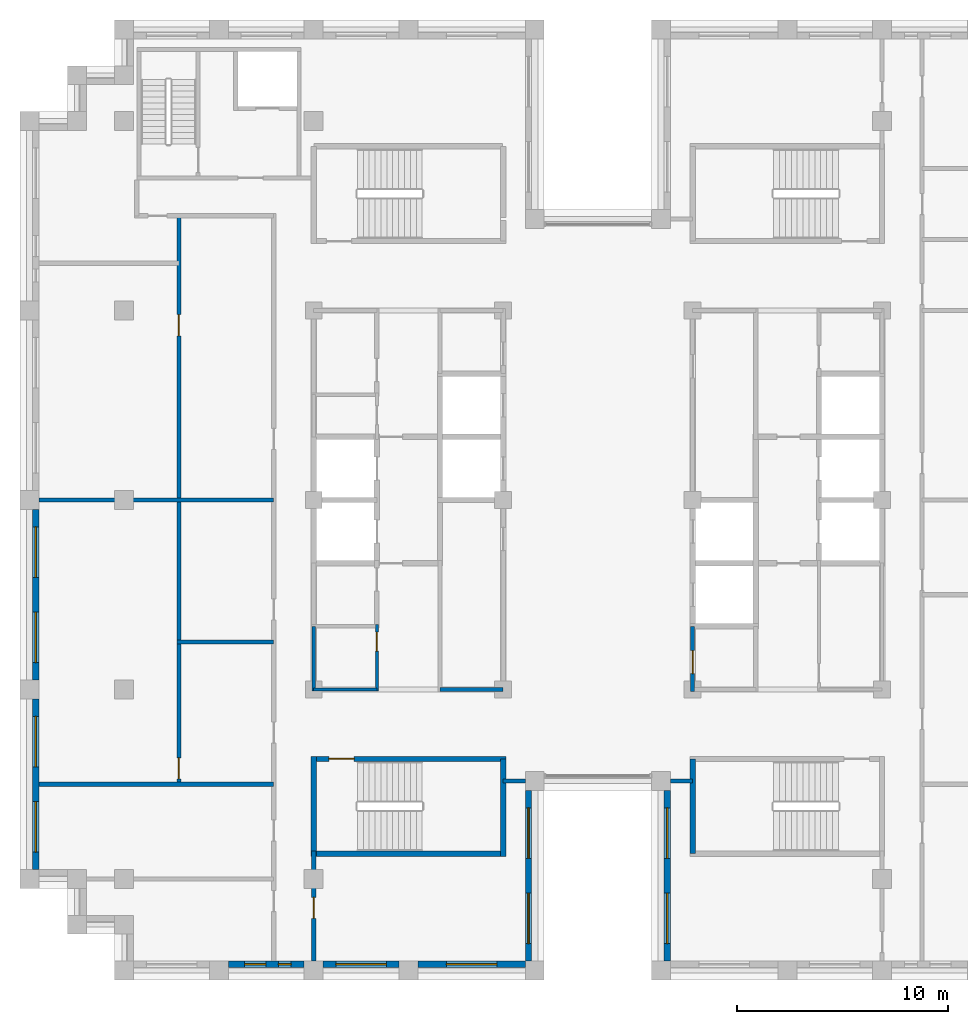
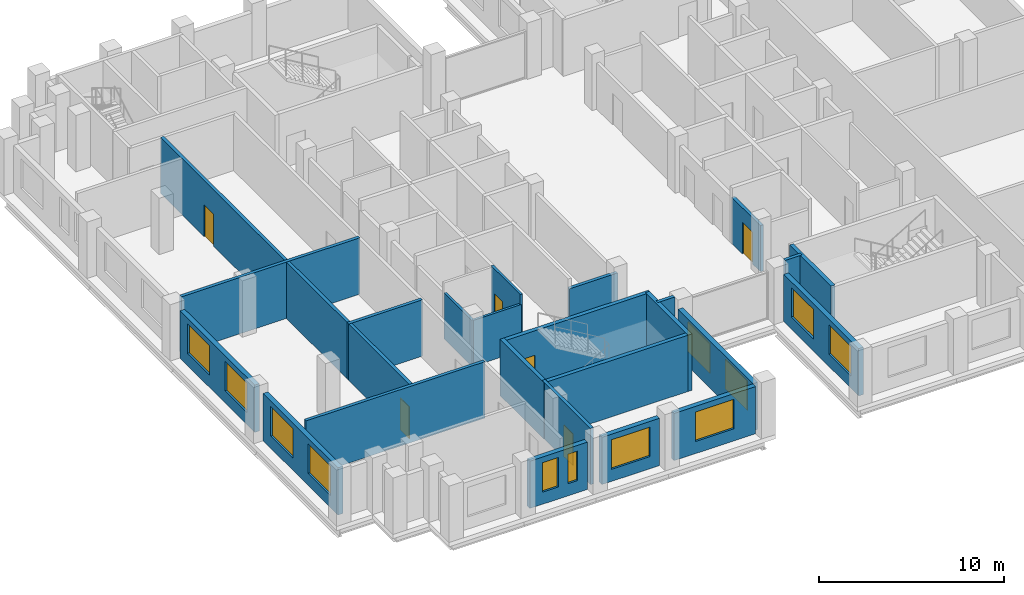
# One storey, part 6 of 13: 24 walls, 12 windows, 6 doors, 18 openings.
"""IFC4 building model written with IfcOpenShell, lengths in metres."""

from ifc_helpers import new_model, si_unit, direction, frame, frame_2d, origin, place, context, subcontext, project, spatial, rectangle, extrude, material, layer, layer_set, type_object, element, fill, save


model = new_model("IFC4")

# Units and contexts
model_context = context("Model", 3, precision=1e-05, world=origin(), true_north=direction((0.0, 1.0)))
body_context = subcontext(model_context, "Body", "Model", "MODEL_VIEW")
ifc_project = project(units=[si_unit("LENGTHUNIT", "METRE"), si_unit("AREAUNIT", "SQUARE_METRE"), si_unit("VOLUMEUNIT", "CUBIC_METRE"), si_unit("PLANEANGLEUNIT", "RADIAN"), si_unit("MASSUNIT", "GRAM", prefix="KILO")], contexts=[model_context])

# Site, building, storey
site_placement = place(None, origin())
site = spatial("IfcSite", under=ifc_project, at=site_placement, CompositionType="ELEMENT")
building_placement = place(site_placement, origin())
building = spatial("IfcBuilding", under=site, at=building_placement, Name="Corbelhall Arena Tower", CompositionType="ELEMENT")
storey_placement = place(building_placement, frame((0.0, 0.0, 262.0)))
storey = spatial("IfcBuildingStorey", under=building, at=storey_placement, Name="L56", CompositionType="ELEMENT", Elevation=262.0)

# Wall, openings, windows
ifc_material_1 = material(Name="Precast concrete C40/50 with granite facing", Category="masonry")
ifc_layer_1 = layer(ifc_material_1, 0.300048828125)
ifc_layer_set_1 = layer_set([ifc_layer_1], Name="EV-IW1 Infill panel 300")
wall_type_1 = type_object("IfcWallType", Name="EV-IW1 Infill panel 300", PredefinedType="SOLIDWALL", material=ifc_layer_set_1)
wall_1_placement = place(storey_placement, frame((-26.699951171875, -0.449951171875, 0.0), z_axis=(0.0, 0.0, 1.0), x_axis=(0.0, -1.0, 0.0)))
wall_1 = element("IfcWall", 1, at=wall_1_placement, inside=storey, type_object=wall_type_1, Name="Infill panel IW1", PredefinedType="SOLIDWALL", context=body_context, shape_type="SweptSolid", body=[
    extrude(rectangle(XDim=8.10009765625, YDim=0.300048828125, at=frame_2d((4.050048828125, 0.0))), origin(), (0.0, 0.0, 1.0), 3.1201171875),
])
opening_1_placement = place(wall_1_placement, frame((0.824951171875, 0.0, 0.800048828125)))
opening_1 = element("IfcOpeningElement", 2, at=opening_1_placement, cuts=wall_1, Name="Opening WN1", PredefinedType="OPENING", context=body_context, shape_type="SweptSolid", body=[
    extrude(rectangle(XDim=2.39990234375, YDim=1.949951171875, at=frame_2d((1.199951171875, 0.97509765625))), frame((0.0, 0.14990234375, 0.0), z_axis=(0.0, -1.0, 0.0), x_axis=(1.0, 0.0, 0.0)), (0.0, 0.0, 1.0), 0.300048828125),
])
opening_2_placement = place(wall_1_placement, frame((4.875, 0.0, 0.800048828125)))
opening_2 = element("IfcOpeningElement", 3, at=opening_2_placement, cuts=wall_1, Name="Opening WN1", PredefinedType="OPENING", context=body_context, shape_type="SweptSolid", body=[
    extrude(rectangle(XDim=2.39990234375, YDim=1.949951171875, at=frame_2d((1.199951171875, 0.97509765625))), frame((0.0, 0.14990234375, 0.0), z_axis=(0.0, -1.0, 0.0), x_axis=(1.0, 0.0, 0.0)), (0.0, 0.0, 1.0), 0.300048828125),
])
ifc_material_2 = material(Name="Aluminium black anodised", Category="aluminium")
window_type_1 = type_object("IfcWindowType", Name="EV-WN1 Office window", PartitioningType="SINGLE_PANEL", PredefinedType="WINDOW", material=ifc_material_2)
window_1_placement = place(opening_1_placement, origin())
window_1 = element("IfcWindow", 4, at=window_1_placement, inside=storey, type_object=window_type_1, Name="Window WN1", OverallHeight=1.949951171875, OverallWidth=2.39990234375, PartitioningType="SINGLE_PANEL", PredefinedType="WINDOW", context=body_context, shape_type="SweptSolid", body=[
    extrude(rectangle(XDim=2.39990234375, YDim=1.949951171875, at=frame_2d((1.199951171875, 0.97509765625))), frame((0.0, 0.030029296875, 0.0), z_axis=(0.0, -1.0, 0.0), x_axis=(1.0, 0.0, 0.0)), (0.0, 0.0, 1.0), 0.06005859375),
])
fill(opening_1, window_1)
window_2_placement = place(opening_2_placement, origin())
window_2 = element("IfcWindow", 5, at=window_2_placement, inside=storey, type_object=window_type_1, Name="Window WN1", OverallHeight=1.949951171875, OverallWidth=2.39990234375, PartitioningType="SINGLE_PANEL", PredefinedType="WINDOW", context=body_context, shape_type="SweptSolid", body=[
    extrude(rectangle(XDim=2.39990234375, YDim=1.949951171875, at=frame_2d((1.199951171875, 0.97509765625))), frame((0.0, 0.030029296875, 0.0), z_axis=(0.0, -1.0, 0.0), x_axis=(1.0, 0.0, 0.0)), (0.0, 0.0, 1.0), 0.06005859375),
])
fill(opening_2, window_2)

wall_2_placement = place(storey_placement, frame((-26.699951171875, -9.449951171875, 0.0), z_axis=(0.0, 0.0, 1.0), x_axis=(0.0, -1.0, 0.0)))
wall_2 = element("IfcWall", 6, at=wall_2_placement, inside=storey, type_object=wall_type_1, Name="Infill panel IW1", PredefinedType="SOLIDWALL", context=body_context, shape_type="SweptSolid", body=[
    extrude(rectangle(XDim=8.10009765625, YDim=0.300048828125, at=frame_2d((4.050048828125, 0.0))), origin(), (0.0, 0.0, 1.0), 3.1201171875),
])
opening_3_placement = place(wall_2_placement, frame((0.824951171875, 0.0, 0.800048828125)))
opening_3 = element("IfcOpeningElement", 7, at=opening_3_placement, cuts=wall_2, Name="Opening WN1", PredefinedType="OPENING", context=body_context, shape_type="SweptSolid", body=[
    extrude(rectangle(XDim=2.39990234375, YDim=1.949951171875, at=frame_2d((1.199951171875, 0.97509765625))), frame((0.0, 0.14990234375, 0.0), z_axis=(0.0, -1.0, 0.0), x_axis=(1.0, 0.0, 0.0)), (0.0, 0.0, 1.0), 0.300048828125),
])
opening_4_placement = place(wall_2_placement, frame((4.875, 0.0, 0.800048828125)))
opening_4 = element("IfcOpeningElement", 8, at=opening_4_placement, cuts=wall_2, Name="Opening WN1", PredefinedType="OPENING", context=body_context, shape_type="SweptSolid", body=[
    extrude(rectangle(XDim=2.39990234375, YDim=1.949951171875, at=frame_2d((1.199951171875, 0.97509765625))), frame((0.0, 0.14990234375, 0.0), z_axis=(0.0, -1.0, 0.0), x_axis=(1.0, 0.0, 0.0)), (0.0, 0.0, 1.0), 0.300048828125),
])
window_3_placement = place(opening_3_placement, origin())
window_3 = element("IfcWindow", 9, at=window_3_placement, inside=storey, type_object=window_type_1, Name="Window WN1", OverallHeight=1.949951171875, OverallWidth=2.39990234375, PartitioningType="SINGLE_PANEL", PredefinedType="WINDOW", context=body_context, shape_type="SweptSolid", body=[
    extrude(rectangle(XDim=2.39990234375, YDim=1.949951171875, at=frame_2d((1.199951171875, 0.97509765625))), frame((0.0, 0.030029296875, 0.0), z_axis=(0.0, -1.0, 0.0), x_axis=(1.0, 0.0, 0.0)), (0.0, 0.0, 1.0), 0.06005859375),
])
fill(opening_3, window_3)
window_4_placement = place(opening_4_placement, origin())
window_4 = element("IfcWindow", 10, at=window_4_placement, inside=storey, type_object=window_type_1, Name="Window WN1", OverallHeight=1.949951171875, OverallWidth=2.39990234375, PartitioningType="SINGLE_PANEL", PredefinedType="WINDOW", context=body_context, shape_type="SweptSolid", body=[
    extrude(rectangle(XDim=2.39990234375, YDim=1.949951171875, at=frame_2d((1.199951171875, 0.97509765625))), frame((0.0, 0.030029296875, 0.0), z_axis=(0.0, -1.0, 0.0), x_axis=(1.0, 0.0, 0.0)), (0.0, 0.0, 1.0), 0.06005859375),
])
fill(opening_4, window_4)

wall_3_placement = place(storey_placement, frame((-17.550048828125, -22.050048828125, 0.0), z_axis=(0.0, 0.0, 1.0), x_axis=(1.0, 0.0, 0.0)))
wall_3 = element("IfcWall", 11, at=wall_3_placement, inside=storey, type_object=wall_type_1, Name="Infill panel IW1", PredefinedType="SOLIDWALL", context=body_context, shape_type="SweptSolid", body=[
    extrude(rectangle(XDim=3.60009765625, YDim=0.300048828125, at=frame_2d((1.800048828125, 0.0))), origin(), (0.0, 0.0, 1.0), 3.1201171875),
])
opening_5_placement = place(wall_3_placement, frame((0.77490234375, 0.0, 0.800048828125)))
opening_5 = element("IfcOpeningElement", 12, at=opening_5_placement, cuts=wall_3, Name="Opening WN6", PredefinedType="OPENING", context=body_context, shape_type="SweptSolid", body=[
    extrude(rectangle(XDim=1.0, YDim=1.949951171875, at=frame_2d((0.5, 0.97509765625))), frame((0.0, 0.14990234375, 0.0), z_axis=(0.0, -1.0, 0.0), x_axis=(1.0, 0.0, 0.0)), (0.0, 0.0, 1.0), 0.300048828125),
])
opening_6_placement = place(wall_3_placement, frame((2.375, 0.0, 0.800048828125)))
opening_6 = element("IfcOpeningElement", 13, at=opening_6_placement, cuts=wall_3, Name="Opening WN5", PredefinedType="OPENING", context=body_context, shape_type="SweptSolid", body=[
    extrude(rectangle(XDim=0.60009765625, YDim=1.949951171875, at=frame_2d((0.300048828125, 0.97509765625))), frame((0.0, 0.14990234375, 0.0), z_axis=(0.0, -1.0, 0.0), x_axis=(1.0, 0.0, 0.0)), (0.0, 0.0, 1.0), 0.300048828125),
])
window_type_2 = type_object("IfcWindowType", Name="EV-WN5 Office window 600", PartitioningType="SINGLE_PANEL", PredefinedType="WINDOW", material=ifc_material_2)
window_5_placement = place(opening_6_placement, origin())
window_5 = element("IfcWindow", 14, at=window_5_placement, inside=storey, type_object=window_type_2, Name="Window WN5", OverallHeight=1.949951171875, OverallWidth=0.60009765625, PartitioningType="SINGLE_PANEL", PredefinedType="WINDOW", context=body_context, shape_type="SweptSolid", body=[
    extrude(rectangle(XDim=0.60009765625, YDim=1.949951171875, at=frame_2d((0.300048828125, 0.97509765625))), frame((0.0, 0.030029296875, 0.0), z_axis=(0.0, -1.0, 0.0), x_axis=(1.0, 0.0, 0.0)), (0.0, 0.0, 1.0), 0.06005859375),
])
fill(opening_6, window_5)
window_type_3 = type_object("IfcWindowType", Name="EV-WN6 Office window 1000", PartitioningType="SINGLE_PANEL", PredefinedType="WINDOW", material=ifc_material_2)
window_6_placement = place(opening_5_placement, origin())
window_6 = element("IfcWindow", 15, at=window_6_placement, inside=storey, type_object=window_type_3, Name="Window WN6", OverallHeight=1.949951171875, OverallWidth=1.0, PartitioningType="SINGLE_PANEL", PredefinedType="WINDOW", context=body_context, shape_type="SweptSolid", body=[
    extrude(rectangle(XDim=1.0, YDim=1.949951171875, at=frame_2d((0.5, 0.97509765625))), frame((0.0, 0.030029296875, 0.0), z_axis=(0.0, -1.0, 0.0), x_axis=(1.0, 0.0, 0.0)), (0.0, 0.0, 1.0), 0.06005859375),
])
fill(opening_5, window_6)

# Wall, opening, window
wall_4_placement = place(storey_placement, frame((-13.050048828125, -22.050048828125, 0.0), z_axis=(0.0, 0.0, 1.0), x_axis=(1.0, 0.0, 0.0)))
wall_4 = element("IfcWall", 16, at=wall_4_placement, inside=storey, type_object=wall_type_1, Name="Infill panel IW1", PredefinedType="SOLIDWALL", context=body_context, shape_type="SweptSolid", body=[
    extrude(rectangle(XDim=3.60009765625, YDim=0.300048828125, at=frame_2d((1.800048828125, 0.0))), origin(), (0.0, 0.0, 1.0), 3.1201171875),
])
opening_7_placement = place(wall_4_placement, frame((0.60009765625, 0.0, 0.800048828125)))
opening_7 = element("IfcOpeningElement", 17, at=opening_7_placement, cuts=wall_4, Name="Opening WN1", PredefinedType="OPENING", context=body_context, shape_type="SweptSolid", body=[
    extrude(rectangle(XDim=2.39990234375, YDim=1.949951171875, at=frame_2d((1.199951171875, 0.97509765625))), frame((0.0, 0.14990234375, 0.0), z_axis=(0.0, -1.0, 0.0), x_axis=(1.0, 0.0, 0.0)), (0.0, 0.0, 1.0), 0.300048828125),
])
window_7_placement = place(opening_7_placement, origin())
window_7 = element("IfcWindow", 18, at=window_7_placement, inside=storey, type_object=window_type_1, Name="Window WN1", OverallHeight=1.949951171875, OverallWidth=2.39990234375, PartitioningType="SINGLE_PANEL", PredefinedType="WINDOW", context=body_context, shape_type="SweptSolid", body=[
    extrude(rectangle(XDim=2.39990234375, YDim=1.949951171875, at=frame_2d((1.199951171875, 0.97509765625))), frame((0.0, 0.030029296875, 0.0), z_axis=(0.0, -1.0, 0.0), x_axis=(1.0, 0.0, 0.0)), (0.0, 0.0, 1.0), 0.06005859375),
])
fill(opening_7, window_7)

wall_5_placement = place(storey_placement, frame((-8.550048828125, -22.050048828125, 0.0), z_axis=(0.0, 0.0, 1.0), x_axis=(1.0, 0.0, 0.0)))
wall_5 = element("IfcWall", 19, at=wall_5_placement, inside=storey, type_object=wall_type_1, Name="Infill panel IW1", PredefinedType="SOLIDWALL", context=body_context, shape_type="SweptSolid", body=[
    extrude(rectangle(XDim=5.10009765625, YDim=0.300048828125, at=frame_2d((2.550048828125, 0.0))), origin(), (0.0, 0.0, 1.0), 3.1201171875),
])
opening_8_placement = place(wall_5_placement, frame((1.35009765625, 0.0, 0.800048828125)))
opening_8 = element("IfcOpeningElement", 20, at=opening_8_placement, cuts=wall_5, Name="Opening WN1", PredefinedType="OPENING", context=body_context, shape_type="SweptSolid", body=[
    extrude(rectangle(XDim=2.39990234375, YDim=1.949951171875, at=frame_2d((1.199951171875, 0.97509765625))), frame((0.0, 0.14990234375, 0.0), z_axis=(0.0, -1.0, 0.0), x_axis=(1.0, 0.0, 0.0)), (0.0, 0.0, 1.0), 0.300048828125),
])
window_8_placement = place(opening_8_placement, origin())
window_8 = element("IfcWindow", 21, at=window_8_placement, inside=storey, type_object=window_type_1, Name="Window WN1", OverallHeight=1.949951171875, OverallWidth=2.39990234375, PartitioningType="SINGLE_PANEL", PredefinedType="WINDOW", context=body_context, shape_type="SweptSolid", body=[
    extrude(rectangle(XDim=2.39990234375, YDim=1.949951171875, at=frame_2d((1.199951171875, 0.97509765625))), frame((0.0, 0.030029296875, 0.0), z_axis=(0.0, -1.0, 0.0), x_axis=(1.0, 0.0, 0.0)), (0.0, 0.0, 1.0), 0.06005859375),
])
fill(opening_8, window_8)

# Wall, openings, windows
wall_6_placement = place(storey_placement, frame((-3.300048828125, -21.89990234375, 0.0), z_axis=(0.0, 0.0, 1.0), x_axis=(0.0, 1.0, 0.0)))
wall_6 = element("IfcWall", 22, at=wall_6_placement, inside=storey, type_object=wall_type_1, Name="Infill panel IW1", PredefinedType="SOLIDWALL", context=body_context, shape_type="SweptSolid", body=[
    extrude(rectangle(XDim=8.099853515625, YDim=0.300048828125, at=frame_2d((4.0498046875, 0.0))), origin(), (0.0, 0.0, 1.0), 3.1201171875),
])
opening_9_placement = place(wall_6_placement, frame((0.824951171875, 0.0, 0.800048828125)))
opening_9 = element("IfcOpeningElement", 23, at=opening_9_placement, cuts=wall_6, Name="Opening WN1", PredefinedType="OPENING", context=body_context, shape_type="SweptSolid", body=[
    extrude(rectangle(XDim=2.39990234375, YDim=1.949951171875, at=frame_2d((1.199951171875, 0.97509765625))), frame((0.0, 0.14990234375, 0.0), z_axis=(0.0, -1.0, 0.0), x_axis=(1.0, 0.0, 0.0)), (0.0, 0.0, 1.0), 0.300048828125),
])
opening_10_placement = place(wall_6_placement, frame((4.875, 0.0, 0.800048828125)))
opening_10 = element("IfcOpeningElement", 24, at=opening_10_placement, cuts=wall_6, Name="Opening WN1", PredefinedType="OPENING", context=body_context, shape_type="SweptSolid", body=[
    extrude(rectangle(XDim=2.39990234375, YDim=1.949951171875, at=frame_2d((1.199951171875, 0.97509765625))), frame((0.0, 0.14990234375, 0.0), z_axis=(0.0, -1.0, 0.0), x_axis=(1.0, 0.0, 0.0)), (0.0, 0.0, 1.0), 0.300048828125),
])
window_9_placement = place(opening_9_placement, origin())
window_9 = element("IfcWindow", 25, at=window_9_placement, inside=storey, type_object=window_type_1, Name="Window WN1", OverallHeight=1.949951171875, OverallWidth=2.39990234375, PartitioningType="SINGLE_PANEL", PredefinedType="WINDOW", context=body_context, shape_type="SweptSolid", body=[
    extrude(rectangle(XDim=2.39990234375, YDim=1.949951171875, at=frame_2d((1.199951171875, 0.97509765625))), frame((0.0, 0.030029296875, 0.0), z_axis=(0.0, -1.0, 0.0), x_axis=(1.0, 0.0, 0.0)), (0.0, 0.0, 1.0), 0.06005859375),
])
fill(opening_9, window_9)
window_10_placement = place(opening_10_placement, origin())
window_10 = element("IfcWindow", 26, at=window_10_placement, inside=storey, type_object=window_type_1, Name="Window WN1", OverallHeight=1.949951171875, OverallWidth=2.39990234375, PartitioningType="SINGLE_PANEL", PredefinedType="WINDOW", context=body_context, shape_type="SweptSolid", body=[
    extrude(rectangle(XDim=2.39990234375, YDim=1.949951171875, at=frame_2d((1.199951171875, 0.97509765625))), frame((0.0, 0.030029296875, 0.0), z_axis=(0.0, -1.0, 0.0), x_axis=(1.0, 0.0, 0.0)), (0.0, 0.0, 1.0), 0.06005859375),
])
fill(opening_10, window_10)

wall_7_placement = place(storey_placement, frame((3.300048828125, -13.800048828125, 0.0), z_axis=(0.0, 0.0, 1.0), x_axis=(0.0, -1.0, 0.0)))
wall_7 = element("IfcWall", 27, at=wall_7_placement, inside=storey, type_object=wall_type_1, Name="Infill panel IW1", PredefinedType="SOLIDWALL", context=body_context, shape_type="SweptSolid", body=[
    extrude(rectangle(XDim=8.099853515625, YDim=0.300048828125, at=frame_2d((4.0498046875, 0.0))), origin(), (0.0, 0.0, 1.0), 3.1201171875),
])
opening_11_placement = place(wall_7_placement, frame((0.824951171875, 0.0, 0.800048828125)))
opening_11 = element("IfcOpeningElement", 28, at=opening_11_placement, cuts=wall_7, Name="Opening WN1", PredefinedType="OPENING", context=body_context, shape_type="SweptSolid", body=[
    extrude(rectangle(XDim=2.39990234375, YDim=1.949951171875, at=frame_2d((1.199951171875, 0.97509765625))), frame((0.0, 0.14990234375, 0.0), z_axis=(0.0, -1.0, 0.0), x_axis=(1.0, 0.0, 0.0)), (0.0, 0.0, 1.0), 0.300048828125),
])
opening_12_placement = place(wall_7_placement, frame((4.875, 0.0, 0.800048828125)))
opening_12 = element("IfcOpeningElement", 29, at=opening_12_placement, cuts=wall_7, Name="Opening WN1", PredefinedType="OPENING", context=body_context, shape_type="SweptSolid", body=[
    extrude(rectangle(XDim=2.39990234375, YDim=1.949951171875, at=frame_2d((1.199951171875, 0.97509765625))), frame((0.0, 0.14990234375, 0.0), z_axis=(0.0, -1.0, 0.0), x_axis=(1.0, 0.0, 0.0)), (0.0, 0.0, 1.0), 0.300048828125),
])
window_11_placement = place(opening_11_placement, origin())
window_11 = element("IfcWindow", 30, at=window_11_placement, inside=storey, type_object=window_type_1, Name="Window WN1", OverallHeight=1.949951171875, OverallWidth=2.39990234375, PartitioningType="SINGLE_PANEL", PredefinedType="WINDOW", context=body_context, shape_type="SweptSolid", body=[
    extrude(rectangle(XDim=2.39990234375, YDim=1.949951171875, at=frame_2d((1.199951171875, 0.97509765625))), frame((0.0, 0.030029296875, 0.0), z_axis=(0.0, -1.0, 0.0), x_axis=(1.0, 0.0, 0.0)), (0.0, 0.0, 1.0), 0.06005859375),
])
fill(opening_11, window_11)
window_12_placement = place(opening_12_placement, origin())
window_12 = element("IfcWindow", 31, at=window_12_placement, inside=storey, type_object=window_type_1, Name="Window WN1", OverallHeight=1.949951171875, OverallWidth=2.39990234375, PartitioningType="SINGLE_PANEL", PredefinedType="WINDOW", context=body_context, shape_type="SweptSolid", body=[
    extrude(rectangle(XDim=2.39990234375, YDim=1.949951171875, at=frame_2d((1.199951171875, 0.97509765625))), frame((0.0, 0.030029296875, 0.0), z_axis=(0.0, -1.0, 0.0), x_axis=(1.0, 0.0, 0.0)), (0.0, 0.0, 1.0), 0.06005859375),
])
fill(opening_12, window_12)

# Walls
ifc_material_3 = material(Name="Gypsum board on steel stud, acoustic", Category="steel")
ifc_layer_2 = layer(ifc_material_3, 0.199951171875)
ifc_layer_set_2 = layer_set([ifc_layer_2], Name="IN-W-DM200")
wall_type_2 = type_object("IfcWallType", Name="IN-W-DM200", PredefinedType="PARTITIONING", material=ifc_layer_set_2)
wall_8_placement = place(storey_placement, frame((-26.550048828125, -13.5, 0.0), z_axis=(0.0, 0.0, 1.0), x_axis=(1.0, 0.0, 0.0)))
element("IfcWall", 32, at=wall_8_placement, inside=storey, type_object=wall_type_2, Name="Partition 001", PredefinedType="PARTITIONING", context=body_context, shape_type="SweptSolid", body=[
    extrude(rectangle(XDim=11.150146484375, YDim=0.199951171875, at=frame_2d((5.5751953125, 0.0))), origin(), (0.0, 0.0, 1.0), 3.719970703125),
])
wall_9_placement = place(storey_placement, frame((-20.0, -6.75, 0.0), z_axis=(0.0, 0.0, 1.0), x_axis=(1.0, 0.0, 0.0)))
element("IfcWall", 33, at=wall_9_placement, inside=storey, type_object=wall_type_2, Name="Partition 005", PredefinedType="PARTITIONING", context=body_context, shape_type="SweptSolid", body=[
    extrude(rectangle(XDim=4.60009765625, YDim=0.199951171875, at=frame_2d((2.300048828125, 0.0))), origin(), (0.0, 0.0, 1.0), 3.719970703125),
])

# Wall, openings, doors
wall_10_placement = place(storey_placement, frame((-19.89990234375, -13.5, 0.0), z_axis=(0.0, 0.0, 1.0), x_axis=(0.0, 1.0, 0.0)))
wall_10 = element("IfcWall", 34, at=wall_10_placement, inside=storey, type_object=wall_type_2, Name="Partition 006", PredefinedType="PARTITIONING", context=body_context, shape_type="SweptSolid", body=[
    extrude(rectangle(XDim=27.0, YDim=0.199951171875, at=frame_2d((13.5, 0.0))), origin(), (0.0, 0.0, 1.0), 3.719970703125),
])
opening_13_placement = place(wall_10_placement, frame((21.300048828125, 0.0, 0.0)))
opening_13 = element("IfcOpeningElement", 35, at=opening_13_placement, cuts=wall_10, Name="Opening 17023", PredefinedType="OPENING", context=body_context, shape_type="SweptSolid", body=[
    extrude(rectangle(XDim=1.0, YDim=2.10009765625, at=frame_2d((0.5, 1.050048828125))), frame((0.0, 0.10009765625, 0.0), z_axis=(0.0, -1.0, 0.0), x_axis=(1.0, 0.0, 0.0)), (0.0, 0.0, 1.0), 0.199951171875),
])
opening_14_placement = place(wall_10_placement, frame((0.25, 0.0, 0.0)))
opening_14 = element("IfcOpeningElement", 36, at=opening_14_placement, cuts=wall_10, Name="Opening 17028", PredefinedType="OPENING", context=body_context, shape_type="SweptSolid", body=[
    extrude(rectangle(XDim=1.0, YDim=2.10009765625, at=frame_2d((0.5, 1.050048828125))), frame((0.0, 0.10009765625, 0.0), z_axis=(0.0, -1.0, 0.0), x_axis=(1.0, 0.0, 0.0)), (0.0, 0.0, 1.0), 0.199951171875),
])
ifc_material_4 = material(Name="Steel door set", Category="steel")
door_type_1 = type_object("IfcDoorType", Name="IN-D-SW100", OperationType="NOTDEFINED", PredefinedType="DOOR", material=ifc_material_4)
door_1_placement = place(opening_13_placement, origin())
door_1 = element("IfcDoor", 37, at=door_1_placement, inside=storey, type_object=door_type_1, Name="Door 023", OperationType="SINGLE_SWING_RIGHT", OverallHeight=2.10009765625, OverallWidth=1.0, PredefinedType="DOOR", context=body_context, shape_type="SweptSolid", body=[
    extrude(rectangle(XDim=1.0, YDim=2.10009765625, at=frame_2d((0.5, 1.050048828125))), frame((0.0, 0.02490234375, 0.0), z_axis=(0.0, -1.0, 0.0), x_axis=(1.0, 0.0, 0.0)), (0.0, 0.0, 1.0), 0.050048828125),
])
fill(opening_13, door_1)
door_2_placement = place(opening_14_placement, origin())
door_2 = element("IfcDoor", 38, at=door_2_placement, inside=storey, type_object=door_type_1, Name="Door 028", OperationType="SINGLE_SWING_LEFT", OverallHeight=2.10009765625, OverallWidth=1.0, PredefinedType="DOOR", context=body_context, shape_type="SweptSolid", body=[
    extrude(rectangle(XDim=1.0, YDim=2.10009765625, at=frame_2d((0.5, 1.050048828125))), frame((0.0, 0.02490234375, 0.0), z_axis=(0.0, -1.0, 0.0), x_axis=(1.0, 0.0, 0.0)), (0.0, 0.0, 1.0), 0.050048828125),
])
fill(opening_14, door_2)

# Wall
wall_11_placement = place(storey_placement, frame((-15.39990234375, 0.0, 0.0), z_axis=(0.0, 0.0, 1.0), x_axis=(-1.0, 0.0, 0.0)))
element("IfcWall", 39, at=wall_11_placement, inside=storey, type_object=wall_type_2, Name="Partition 007", PredefinedType="PARTITIONING", context=body_context, shape_type="SweptSolid", body=[
    extrude(rectangle(XDim=11.150146484375, YDim=0.199951171875, at=frame_2d((5.5751953125, 0.0))), origin(), (0.0, 0.0, 1.0), 3.719970703125),
])

# Wall, opening, door
wall_12_placement = place(storey_placement, frame((-13.5, -16.675048828125, 0.0), z_axis=(0.0, 0.0, 1.0), x_axis=(0.0, -1.0, 0.0)))
wall_12 = element("IfcWall", 40, at=wall_12_placement, inside=storey, type_object=wall_type_2, Name="Partition 010", PredefinedType="PARTITIONING", context=body_context, shape_type="SweptSolid", body=[
    extrude(rectangle(XDim=5.224853515625, YDim=0.199951171875, at=frame_2d((2.6123046875, 0.0))), origin(), (0.0, 0.0, 1.0), 3.719970703125),
])
opening_15_placement = place(wall_12_placement, frame((2.199951171875, 0.0, 0.0)))
opening_15 = element("IfcOpeningElement", 41, at=opening_15_placement, cuts=wall_12, Name="Opening 17020", PredefinedType="OPENING", context=body_context, shape_type="SweptSolid", body=[
    extrude(rectangle(XDim=1.0, YDim=2.10009765625, at=frame_2d((0.5, 1.050048828125))), frame((0.0, 0.10009765625, 0.0), z_axis=(0.0, -1.0, 0.0), x_axis=(1.0, 0.0, 0.0)), (0.0, 0.0, 1.0), 0.199951171875),
])
door_3_placement = place(opening_15_placement, origin())
door_3 = element("IfcDoor", 42, at=door_3_placement, inside=storey, type_object=door_type_1, Name="Door 020", OperationType="SINGLE_SWING_LEFT", OverallHeight=2.10009765625, OverallWidth=1.0, PredefinedType="DOOR", context=body_context, shape_type="SweptSolid", body=[
    extrude(rectangle(XDim=1.0, YDim=2.10009765625, at=frame_2d((0.5, 1.050048828125))), frame((0.0, 0.02490234375, 0.0), z_axis=(0.0, -1.0, 0.0), x_axis=(1.0, 0.0, 0.0)), (0.0, 0.0, 1.0), 0.050048828125),
])
fill(opening_15, door_3)

# Walls
for number, where, z_axis, x_axis, name in (
    (43, (-3.449951171875, -13.35009765625, 0.0), (0.0, 0.0, 1.0), (-1.0, 0.0, 0.0), "Partition 011"),
    (44, (4.5, -13.35009765625, 0.0), (0.0, 0.0, 1.0), (-1.0, 0.0, 0.0), "Partition 013"),
):
    element("IfcWall", number, at=place(storey_placement, frame(where, z_axis=z_axis, x_axis=x_axis)), inside=storey, type_object=wall_type_2, Name=name, PredefinedType="PARTITIONING", context=body_context, shape_type="SweptSolid", body=[
        extrude(rectangle(XDim=1.050048828125, YDim=0.199951171875, at=frame_2d((0.52490234375, 0.0))), origin(), (0.0, 0.0, 1.0), 3.719970703125),
    ])
ifc_material_5 = material(Name="Concrete block wall", Category="concrete")
ifc_layer_3 = layer(ifc_material_5, 0.199951171875)
ifc_layer_set_3 = layer_set([ifc_layer_3], Name="IN-W-RS200 under beam 678 mm")
wall_type_3 = type_object("IfcWallType", Name="IN-W-RS200 under beam 678 mm", PredefinedType="SOLIDWALL", material=ifc_layer_set_3)
wall_13_placement = place(storey_placement, frame((-4.5, -9.0, 0.0), z_axis=(0.0, 0.0, 1.0), x_axis=(-1.0, 0.0, 0.0)))
element("IfcWall", 45, at=wall_13_placement, inside=storey, type_object=wall_type_3, Name="Partition 033", PredefinedType="SOLIDWALL", context=body_context, shape_type="SweptSolid", body=[
    extrude(rectangle(XDim=3.0, YDim=0.199951171875, at=frame_2d((1.5, 0.0))), origin(), (0.0, 0.0, 1.0), 3.041748046875),
])

# Wall, opening, door
wall_14_placement = place(storey_placement, frame((4.5, -9.10009765625, 0.0), z_axis=(0.0, 0.0, 1.0), x_axis=(0.0, 1.0, 0.0)))
wall_14 = element("IfcWall", 46, at=wall_14_placement, inside=storey, type_object=wall_type_3, Name="Partition 036", PredefinedType="SOLIDWALL", context=body_context, shape_type="SweptSolid", body=[
    extrude(rectangle(XDim=3.10009765625, YDim=0.199951171875, at=frame_2d((1.550048828125, 0.0))), origin(), (0.0, 0.0, 1.0), 3.041748046875),
])
opening_16_placement = place(wall_14_placement, frame((0.85009765625, 0.0, 0.0)))
opening_16 = element("IfcOpeningElement", 47, at=opening_16_placement, cuts=wall_14, Name="Opening 17009", PredefinedType="OPENING", context=body_context, shape_type="SweptSolid", body=[
    extrude(rectangle(XDim=1.10009765625, YDim=2.10009765625, at=frame_2d((0.550048828125, 1.050048828125))), frame((0.0, 0.10009765625, 0.0), z_axis=(0.0, -1.0, 0.0), x_axis=(1.0, 0.0, 0.0)), (0.0, 0.0, 1.0), 0.199951171875),
])
door_type_2 = type_object("IfcDoorType", Name="IN-D-FD110", OperationType="NOTDEFINED", PredefinedType="DOOR", material=ifc_material_4)
door_4_placement = place(opening_16_placement, origin())
door_4 = element("IfcDoor", 48, at=door_4_placement, inside=storey, type_object=door_type_2, Name="Door 009", OperationType="SINGLE_SWING_RIGHT", OverallHeight=2.10009765625, OverallWidth=1.10009765625, PredefinedType="DOOR", context=body_context, shape_type="SweptSolid", body=[
    extrude(rectangle(XDim=1.10009765625, YDim=2.10009765625, at=frame_2d((0.550048828125, 1.050048828125))), frame((0.0, 0.02490234375, 0.0), z_axis=(0.0, -1.0, 0.0), x_axis=(1.0, 0.0, 0.0)), (0.0, 0.0, 1.0), 0.050048828125),
])
fill(opening_16, door_4)

# Walls
ifc_material_6 = material(Name="Concrete C40/50", Category="concrete")
ifc_layer_4 = layer(ifc_material_6, 0.25)
ifc_layer_set_4 = layer_set([ifc_layer_4], Name="IN-W-ST250")
wall_type_4 = type_object("IfcWallType", Name="IN-W-ST250", PredefinedType="SOLIDWALL", material=ifc_layer_set_4)
wall_15_placement = place(storey_placement, frame((-13.5, -12.175048828125, 0.0), z_axis=(0.0, 0.0, 1.0), x_axis=(0.0, -1.0, 0.0)))
element("IfcWall", 49, at=wall_15_placement, inside=storey, type_object=wall_type_4, Name="Shaft wall 064", PredefinedType="SOLIDWALL", context=body_context, shape_type="SweptSolid", body=[
    extrude(rectangle(XDim=4.75, YDim=0.25, at=frame_2d((2.375, 0.0))), origin(), (0.0, 0.0, 1.0), 3.719970703125),
])
wall_16_placement = place(storey_placement, frame((-4.5, -16.800048828125, 0.0), z_axis=(0.0, 0.0, 1.0), x_axis=(-1.0, 0.0, 0.0)))
element("IfcWall", 50, at=wall_16_placement, inside=storey, type_object=wall_type_4, Name="Shaft wall 068", PredefinedType="SOLIDWALL", context=body_context, shape_type="SweptSolid", body=[
    extrude(rectangle(XDim=9.0, YDim=0.25, at=frame_2d((4.5, 0.0))), origin(), (0.0, 0.0, 1.0), 3.719970703125),
])
wall_17_placement = place(storey_placement, frame((-4.5, -12.300048828125, 0.0), z_axis=(0.0, 0.0, 1.0), x_axis=(0.0, -1.0, 0.0)))
element("IfcWall", 51, at=wall_17_placement, inside=storey, type_object=wall_type_4, Name="Shaft wall 069", PredefinedType="SOLIDWALL", context=body_context, shape_type="SweptSolid", body=[
    extrude(rectangle(XDim=4.625, YDim=0.25, at=frame_2d((2.3125, 0.0))), origin(), (0.0, 0.0, 1.0), 3.719970703125),
])

# Wall, opening, door
wall_18_placement = place(storey_placement, frame((-4.375, -12.300048828125, 0.0), z_axis=(0.0, 0.0, 1.0), x_axis=(-1.0, 0.0, 0.0)))
wall_18 = element("IfcWall", 52, at=wall_18_placement, inside=storey, type_object=wall_type_4, Name="Shaft wall 072", PredefinedType="SOLIDWALL", context=body_context, shape_type="SweptSolid", body=[
    extrude(rectangle(XDim=9.125, YDim=0.25, at=frame_2d((4.5625, 0.0))), origin(), (0.0, 0.0, 1.0), 3.719970703125),
])
opening_17_placement = place(wall_18_placement, frame((7.199951171875, 0.0, 0.0)))
opening_17 = element("IfcOpeningElement", 53, at=opening_17_placement, cuts=wall_18, Name="Opening 17016", PredefinedType="OPENING", context=body_context, shape_type="SweptSolid", body=[
    extrude(rectangle(XDim=1.199951171875, YDim=2.10009765625, at=frame_2d((0.60009765625, 1.050048828125))), frame((0.0, 0.125, 0.0), z_axis=(0.0, -1.0, 0.0), x_axis=(1.0, 0.0, 0.0)), (0.0, 0.0, 1.0), 0.25),
])
door_type_3 = type_object("IfcDoorType", Name="IN-D-ST120", OperationType="NOTDEFINED", PredefinedType="DOOR", material=ifc_material_4)
door_5_placement = place(opening_17_placement, origin())
door_5 = element("IfcDoor", 54, at=door_5_placement, inside=storey, type_object=door_type_3, Name="Door 016", OperationType="SINGLE_SWING_LEFT", OverallHeight=2.10009765625, OverallWidth=1.199951171875, PredefinedType="DOOR", context=body_context, shape_type="SweptSolid", body=[
    extrude(rectangle(XDim=1.199951171875, YDim=2.10009765625, at=frame_2d((0.60009765625, 1.050048828125))), frame((0.0, 0.02490234375, 0.0), z_axis=(0.0, -1.0, 0.0), x_axis=(1.0, 0.0, 0.0)), (0.0, 0.0, 1.0), 0.050048828125),
])
fill(opening_17, door_5)

# Wall
wall_19_placement = place(storey_placement, frame((4.5, -16.800048828125, 0.0), z_axis=(0.0, 0.0, 1.0), x_axis=(0.0, 1.0, 0.0)))
element("IfcWall", 55, at=wall_19_placement, inside=storey, type_object=wall_type_4, Name="Shaft wall 075", PredefinedType="SOLIDWALL", context=body_context, shape_type="SweptSolid", body=[
    extrude(rectangle(XDim=4.5, YDim=0.25, at=frame_2d((2.25, 0.0))), origin(), (0.0, 0.0, 1.0), 3.719970703125),
])

# Wall, opening, door
ifc_material_7 = material(Name="Gypsum board on steel stud, moisture resistant", Category="steel")
ifc_layer_5 = layer(ifc_material_7, 0.14990234375)
ifc_layer_set_5 = layer_set([ifc_layer_5], Name="IN-W-WC150")
wall_type_5 = type_object("IfcWallType", Name="IN-W-WC150", PredefinedType="PARTITIONING", material=ifc_layer_set_5)
wall_20_placement = place(storey_placement, frame((-10.5, -9.074951171875, 0.0), z_axis=(0.0, 0.0, 1.0), x_axis=(0.0, 1.0, 0.0)))
wall_20 = element("IfcWall", 56, at=wall_20_placement, inside=storey, type_object=wall_type_5, Name="Partition 085", PredefinedType="PARTITIONING", context=body_context, shape_type="SweptSolid", body=[
    extrude(rectangle(XDim=3.14990234375, YDim=0.14990234375, at=frame_2d((1.574951171875, 0.0))), origin(), (0.0, 0.0, 1.0), 3.719970703125),
])
opening_18_placement = place(wall_20_placement, frame((1.89990234375, 0.0, 0.0)))
opening_18 = element("IfcOpeningElement", 57, at=opening_18_placement, cuts=wall_20, Name="Opening 17005", PredefinedType="OPENING", context=body_context, shape_type="SweptSolid", body=[
    extrude(rectangle(XDim=0.89990234375, YDim=2.10009765625, at=frame_2d((0.449951171875, 1.050048828125))), frame((0.0, 0.074951171875, 0.0), z_axis=(0.0, -1.0, 0.0), x_axis=(1.0, 0.0, 0.0)), (0.0, 0.0, 1.0), 0.14990234375),
])
ifc_material_8 = material(Name="Timber door set", Category="wood")
door_type_4 = type_object("IfcDoorType", Name="IN-D-SW90", OperationType="NOTDEFINED", PredefinedType="DOOR", material=ifc_material_8)
door_6_placement = place(opening_18_placement, origin())
door_6 = element("IfcDoor", 58, at=door_6_placement, inside=storey, type_object=door_type_4, Name="Door 005", OperationType="SINGLE_SWING_RIGHT", OverallHeight=2.10009765625, OverallWidth=0.89990234375, PredefinedType="DOOR", context=body_context, shape_type="SweptSolid", body=[
    extrude(rectangle(XDim=0.89990234375, YDim=2.10009765625, at=frame_2d((0.449951171875, 1.050048828125))), frame((0.0, 0.02490234375, 0.0), z_axis=(0.0, -1.0, 0.0), x_axis=(1.0, 0.0, 0.0)), (0.0, 0.0, 1.0), 0.050048828125),
])
fill(opening_18, door_6)

# Walls
ifc_layer_6 = layer(ifc_material_7, 0.14990234375)
ifc_layer_set_6 = layer_set([ifc_layer_6], Name="IN-W-WC150 under beam 678 mm")
wall_type_6 = type_object("IfcWallType", Name="IN-W-WC150 under beam 678 mm", PredefinedType="PARTITIONING", material=ifc_layer_set_6)
wall_21_placement = place(storey_placement, frame((-13.5, -9.074951171875, 0.0), z_axis=(0.0, 0.0, 1.0), x_axis=(0.0, 1.0, 0.0)))
element("IfcWall", 59, at=wall_21_placement, inside=storey, type_object=wall_type_6, Name="Partition 083", PredefinedType="PARTITIONING", context=body_context, shape_type="SweptSolid", body=[
    extrude(rectangle(XDim=3.074951171875, YDim=0.14990234375, at=frame_2d((1.53759765625, 0.0))), origin(), (0.0, 0.0, 1.0), 3.041748046875),
])
wall_22_placement = place(storey_placement, frame((-10.5, -9.0, 0.0), z_axis=(0.0, 0.0, 1.0), x_axis=(-1.0, 0.0, 0.0)))
element("IfcWall", 60, at=wall_22_placement, inside=storey, type_object=wall_type_6, Name="Partition 086", PredefinedType="PARTITIONING", context=body_context, shape_type="SweptSolid", body=[
    extrude(rectangle(XDim=3.0, YDim=0.14990234375, at=frame_2d((1.5, 0.0))), origin(), (0.0, 0.0, 1.0), 3.041748046875),
])

save(model, "model.ifc")
